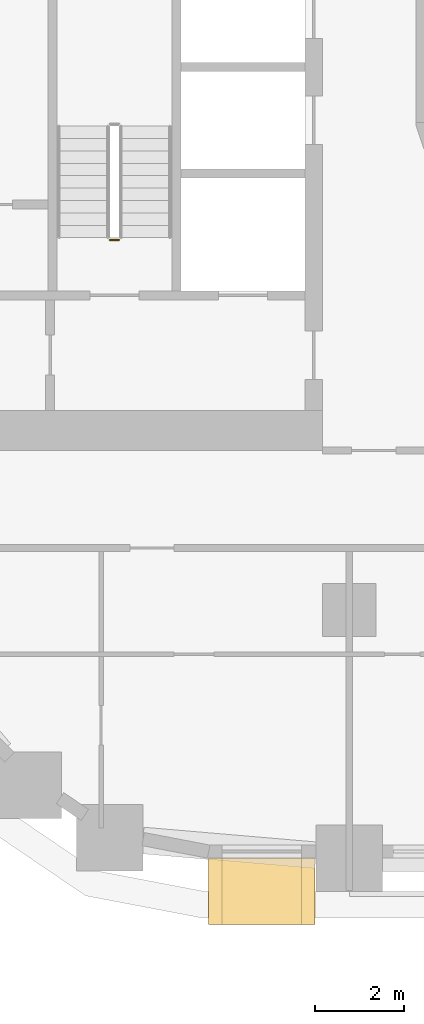
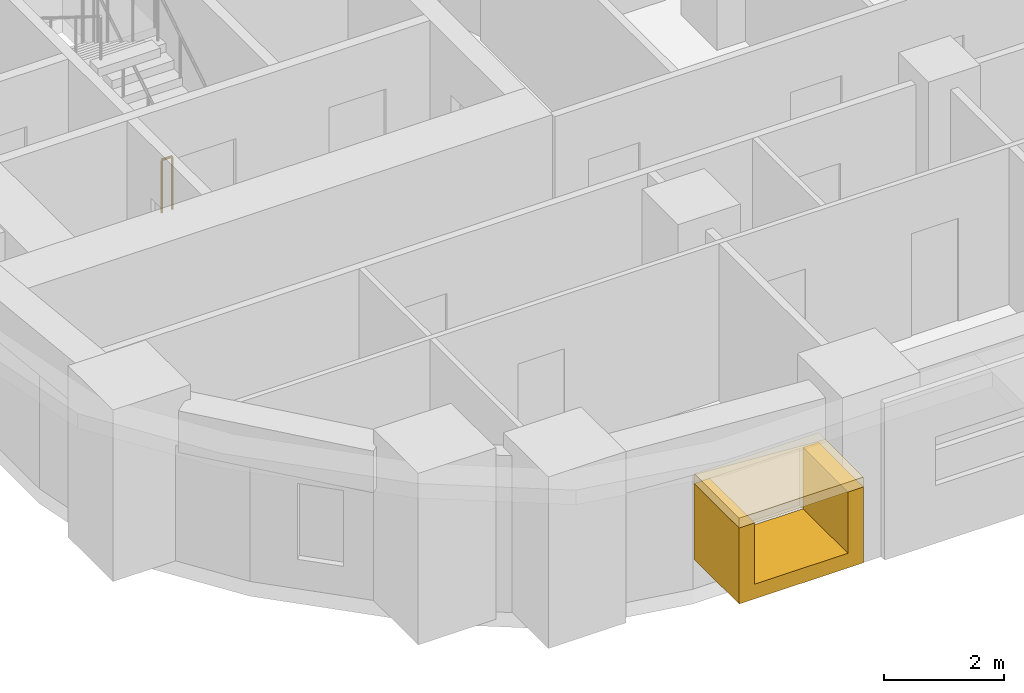
# One storey, part 11 of 21: 2 coverings, 1 railing.
"""IFC4 building model written with IfcOpenShell, lengths in metres."""

from ifc_helpers import new_model, si_unit, direction, frame, origin, origin_2d, place, context, subcontext, project, spatial, polyline, rectangle, circle, outline, extrude, material, layer, layer_set, type_object, element, save


model = new_model("IFC4")

# Units and contexts
model_context = context("Model", 3, precision=1e-05, world=origin(), true_north=direction((0.0, 1.0)))
body_context = subcontext(model_context, "Body", "Model", "MODEL_VIEW")
ifc_project = project(units=[si_unit("LENGTHUNIT", "METRE"), si_unit("AREAUNIT", "SQUARE_METRE"), si_unit("VOLUMEUNIT", "CUBIC_METRE"), si_unit("PLANEANGLEUNIT", "RADIAN"), si_unit("MASSUNIT", "GRAM", prefix="KILO")], contexts=[model_context])

# Site, building, storey
site_placement = place(None, origin())
site = spatial("IfcSite", under=ifc_project, at=site_placement, CompositionType="ELEMENT")
building_placement = place(site_placement, origin())
building = spatial("IfcBuilding", under=site, at=building_placement, Name="Kiln Ring Residences", CompositionType="ELEMENT")
storey_placement = place(building_placement, frame((0.0, 0.0, 41.0)))
storey = spatial("IfcBuildingStorey", under=building, at=storey_placement, Name="L09", CompositionType="ELEMENT", Elevation=41.0)

# Railing
ifc_material_1 = material(Name="Stainless steel", Category="steel")
railing_type = type_object("IfcRailingType", Name="CORE-STAIR-GUARD", PredefinedType="GUARDRAIL", material=ifc_material_1)
railing_placement = place(storey_placement, frame((-22.0, -8.449951171875, 0.0)))
element("IfcRailing", 1, at=railing_placement, inside=storey, type_object=railing_type, Name="L09 W-STS stair guard 4", PredefinedType="GUARDRAIL", context=body_context, shape_type="SweptSolid", body=[
    extrude(circle(Radius=0.02392578125, at=origin_2d()), frame((0.0, 0.0, 1.076171875), z_axis=(-1.0, 0.0, 0.0), x_axis=(0.0, -1.0, 0.0)), (0.0, 0.0, 1.0), 0.199951171875),
    extrude(circle(Radius=0.02099609375, at=origin_2d()), origin(), (0.0, 0.0, 1.0), 1.052001953125),
    extrude(circle(Radius=0.02099609375, at=origin_2d()), frame((-0.199951171875, 0.0, 0.0)), (0.0, 0.0, 1.0), 1.052001953125),
])

# Coverings
ifc_material_2 = material(Name="Brick masonry, dark clay brick", Category="masonry")
ifc_layer_1 = layer(ifc_material_2, 0.300048828125)
ifc_layer_set_1 = layer_set([ifc_layer_1], Name="FRAME CHEEKS AND SILL 1500")
covering_type_1 = type_object("IfcCoveringType", Name="FRAME CHEEKS AND SILL 1500", PredefinedType="CLADDING", material=ifc_layer_set_1)
covering_1_placement = place(storey_placement, frame((-19.97509765625, -23.14990234375, 0.60009765625), z_axis=(0.0, 0.0, 1.0), x_axis=(1.0, 0.0, 0.0)))
element("IfcCovering", 2, at=covering_1_placement, inside=storey, type_object=covering_type_1, Name="FRAME L09", PredefinedType="CLADDING", context=body_context, shape_type="SweptSolid", body=[
    extrude(outline(polyline([(0.0, 0.0), (2.400146484375, 0.0), (2.39990234375, 1.5498046875), (2.10107421875, 1.5498046875), (2.10009765625, 0.2998046875), (0.300048828125, 0.2998046875), (0.299072265625, 1.5498046875), (0.0, 1.5498046875), (0.0, 0.0)])), frame((0.0, 0.75, 0.0), z_axis=(0.0, -1.0, 0.0), x_axis=(1.0, 0.0, 0.0)), (0.0, 0.0, 1.0), 1.5),
])
ifc_material_3 = material(Name="Brick masonry, dark clay brick", Category="masonry")
ifc_layer_2 = layer(ifc_material_3, 0.199951171875)
ifc_layer_set_2 = layer_set([ifc_layer_2], Name="FRAME HEAD 1500")
covering_type_2 = type_object("IfcCoveringType", Name="FRAME HEAD 1500", PredefinedType="CLADDING", material=ifc_layer_set_2)
covering_2_placement = place(storey_placement, frame((-18.77490234375, -23.14990234375, 2.14990234375), z_axis=(0.0, 0.0, 1.0), x_axis=(1.0, 0.0, 0.0)))
element("IfcCovering", 3, at=covering_2_placement, inside=storey, type_object=covering_type_2, Name="FRAME HEAD L09", PredefinedType="CLADDING", context=body_context, shape_type="SweptSolid", body=[
    extrude(rectangle(XDim=2.39990234375, YDim=1.5, at=origin_2d()), origin(), (0.0, 0.0, 1.0), 0.199951171875),
])

save(model, "model.ifc")
